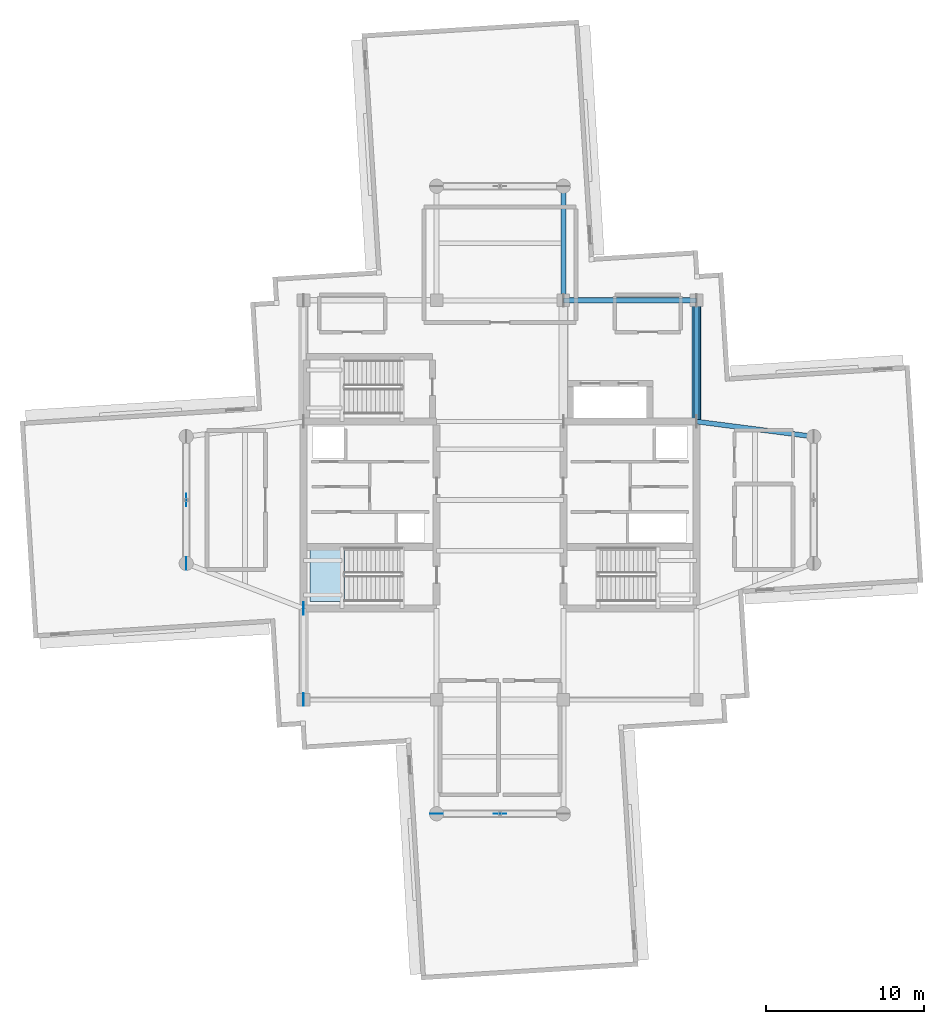
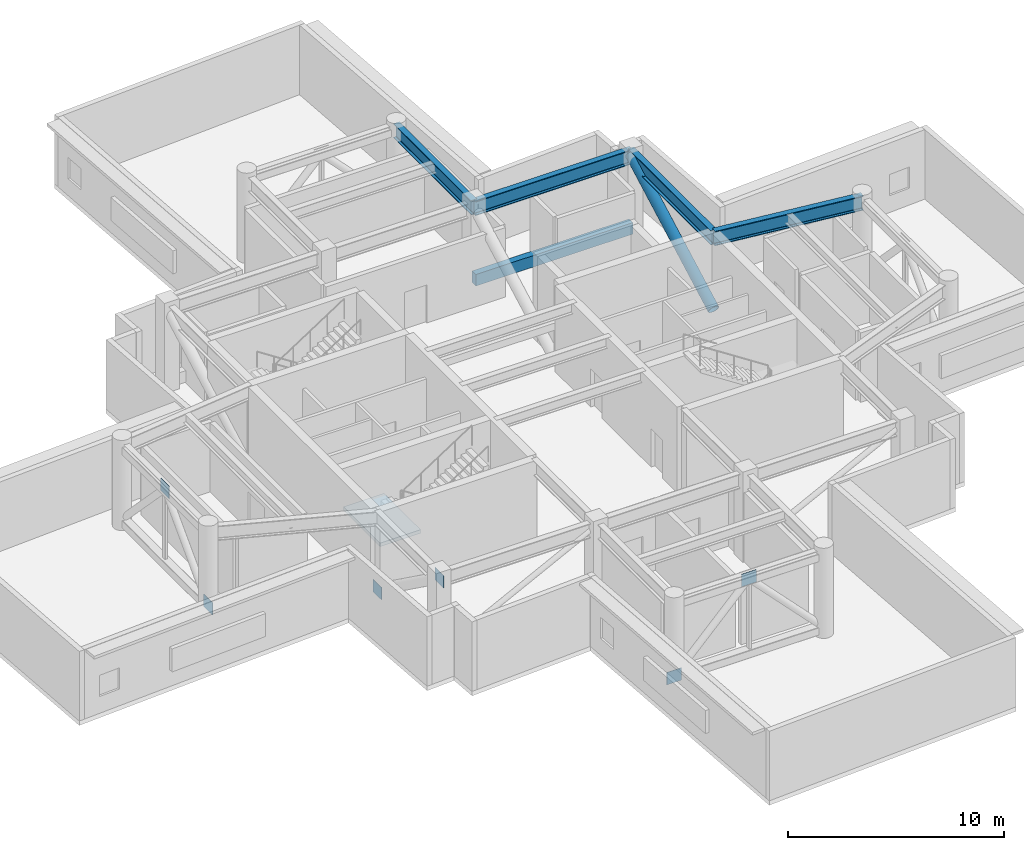
# One storey, part 6 of 14: 6 plates, 5 beams, 1 member, 1 slab, 1 element without a shape of its own.
"""IFC4 building model written with IfcOpenShell, lengths in metres."""

from ifc_helpers import new_model, si_unit, direction, frame, origin, origin_2d, place, context, subcontext, project, spatial, polyline, rectangle, hollow_circle, i_section, outline, extrude, material, layer, layer_set, material_profile, profile_set, type_object, element, aggregate, save


model = new_model("IFC4")

# Units and contexts
model_context = context("Model", 3, precision=1e-05, world=origin(), true_north=direction((0.0, 1.0)))
body_context = subcontext(model_context, "Body", "Model", "MODEL_VIEW")
ifc_project = project(units=[si_unit("LENGTHUNIT", "METRE"), si_unit("AREAUNIT", "SQUARE_METRE"), si_unit("VOLUMEUNIT", "CUBIC_METRE"), si_unit("PLANEANGLEUNIT", "RADIAN"), si_unit("MASSUNIT", "GRAM", prefix="KILO")], contexts=[model_context])

# Site, building, storey
site_placement = place(None, origin())
site = spatial("IfcSite", under=ifc_project, at=site_placement, CompositionType="ELEMENT")
building_placement = place(site_placement, origin())
building = spatial("IfcBuilding", under=site, at=building_placement, Name="Qingluan Cross Belvedere", CompositionType="ELEMENT")
storey_placement = place(building_placement, frame((0.0, 0.0, 288.89990234375)))
storey = spatial("IfcBuildingStorey", under=building, at=storey_placement, Name="L72", CompositionType="ELEMENT", Elevation=288.89990234375)

# Beam
ifc_material_1 = material(Name="Concrete C45", Category="concrete")
ifc_material_profile_1 = material_profile(ifc_material_1, rectangle(XDim=0.35009765625, YDim=0.64990234375, at=origin_2d()), Name="RC350x650")
ifc_profile_set_1 = profile_set([ifc_material_profile_1], Name="Concrete C45")
beam_type_1 = type_object("IfcBeamType", Name="RC_Spandrel_RC350x650", PredefinedType="SPANDREL", material=ifc_profile_set_1)
beam_1_placement = place(storey_placement, frame((4.0, 12.60009765625, 0.400146484375), z_axis=(1.0, 0.0, 0.0), x_axis=(0.0, 1.0, 0.0)))
element("IfcBeam", 1, at=beam_1_placement, inside=storey, type_object=beam_type_1, Name="Perimeter RC spandrel beam L72-NE", PredefinedType="SPANDREL", context=body_context, shape_type="SweptSolid", body=[
    extrude(rectangle(XDim=0.35009765625, YDim=0.64990234375, at=origin_2d()), origin(), (0.0, 0.0, 1.0), 8.39990234375),
])

# Member
ifc_material_2 = material(Name="Steel Q420GJB", Category="steel")
ifc_material_profile_2 = material_profile(ifc_material_2, hollow_circle(Radius=0.279541015625, WallThickness=0.02490234375, at=origin_2d()), Name="CHS559x25")
ifc_profile_set_2 = profile_set([ifc_material_profile_2], Name="Steel Q420GJB")
member_type = type_object("IfcMemberType", Name="SteelMember_BRACE_CHS559x25", PredefinedType="BRACE", material=ifc_profile_set_2)
member_placement = place(storey_placement, frame((12.39990234375, 4.949951171875, 0.35009765625), z_axis=(0.0, 0.878999574006, 0.476822554937), x_axis=(-1.0, 0.0, 0.0)))
element("IfcMember", 2, at=member_placement, inside=storey, type_object=member_type, Name="Outrigger truss diagonal L72-OEN", PredefinedType="BRACE", context=body_context, shape_type="SweptSolid", body=[
    extrude(hollow_circle(Radius=0.279541015625, WallThickness=0.02490234375, at=origin_2d()), origin(), (0.0, 0.0, 1.0), 8.703125),
])

# Beams
ifc_material_3 = material(Name="Steel Q420GJB", Category="steel")
ifc_material_profile_3 = material_profile(ifc_material_3, i_section(OverallWidth=0.305908203125, OverallDepth=0.81396484375, WebThickness=0.02099609375, FlangeThickness=0.0400390625, FilletRadius=0.030029296875, at=origin_2d()), Name="HEM800")
ifc_profile_set_3 = profile_set([ifc_material_profile_3], Name="Steel Q420GJB")
beam_type_2 = type_object("IfcBeamType", Name="Steel_Girder_HEM800", PredefinedType="USERDEFINED", material=ifc_profile_set_3)
beam_2_placement = place(storey_placement, frame((4.0, 12.60009765625, 4.443115234375), z_axis=(1.0, 0.0, 0.0), x_axis=(0.0, 1.0, 0.0)))
element("IfcBeam", 3, at=beam_2_placement, inside=storey, type_object=beam_type_2, Name="Hub girder L72-HG-N3", ObjectType="GIRDER", PredefinedType="USERDEFINED", context=body_context, shape_type="SweptSolid", body=[
    extrude(i_section(OverallWidth=0.305908203125, OverallDepth=0.81396484375, WebThickness=0.02099609375, FlangeThickness=0.0400390625, FilletRadius=0.030029296875, at=origin_2d()), origin(), (0.0, 0.0, 1.0), 8.39990234375),
])
beam_3_placement = place(storey_placement, frame((12.39990234375, 4.949951171875, 4.443115234375), z_axis=(0.0, 1.0, 0.0), x_axis=(-1.0, 0.0, 0.0)))
element("IfcBeam", 4, at=beam_3_placement, inside=storey, type_object=beam_type_2, Name="Hub girder L72-HG-E2", ObjectType="GIRDER", PredefinedType="USERDEFINED", context=body_context, shape_type="SweptSolid", body=[
    extrude(i_section(OverallWidth=0.305908203125, OverallDepth=0.81396484375, WebThickness=0.02099609375, FlangeThickness=0.0400390625, FilletRadius=0.030029296875, at=origin_2d()), origin(), (0.0, 0.0, 1.0), 7.650146484375),
])
beam_4_placement = place(storey_placement, frame((12.39990234375, 4.949951171875, 4.443115234375), z_axis=(0.991861120628, -0.12732445714, 0.0), x_axis=(0.12732445714, 0.991861120628, 0.0)))
element("IfcBeam", 5, at=beam_4_placement, inside=storey, type_object=beam_type_2, Name="Arm E radial girder B L72", ObjectType="GIRDER", PredefinedType="USERDEFINED", context=body_context, shape_type="SweptSolid", body=[
    extrude(i_section(OverallWidth=0.305908203125, OverallDepth=0.81396484375, WebThickness=0.02099609375, FlangeThickness=0.0400390625, FilletRadius=0.030029296875, at=origin_2d()), origin(), (0.0, 0.0, 1.0), 7.4609375),
])
beam_5_placement = place(storey_placement, frame((4.0, 12.60009765625, 4.443115234375), z_axis=(0.0, 1.0, 0.0), x_axis=(-1.0, 0.0, 0.0)))
element("IfcBeam", 6, at=beam_5_placement, inside=storey, type_object=beam_type_2, Name="Arm N radial girder B L72", ObjectType="GIRDER", PredefinedType="USERDEFINED", context=body_context, shape_type="SweptSolid", body=[
    extrude(i_section(OverallWidth=0.305908203125, OverallDepth=0.81396484375, WebThickness=0.02099609375, FlangeThickness=0.0400390625, FilletRadius=0.030029296875, at=origin_2d()), origin(), (0.0, 0.0, 1.0), 7.199951171875),
])

# Plates
ifc_material_4 = material(Name="Steel Q420GJB", Category="steel")
ifc_layer_1 = layer(ifc_material_4, 0.02490234375, Name="GussetPlate_25")
ifc_layer_set_1 = layer_set([ifc_layer_1], Name="Steel Q420GJB")
plate_type = type_object("IfcPlateType", Name="GussetPlate_25", PredefinedType="SHEET", material=ifc_layer_set_1)
for number, where, z_axis, x_axis, name in (
    (7, (-19.800048828125, 0.0, 4.14990234375), (0.0, 0.0, 1.0), (0.0, 1.0, 0.0), "Belt truss gusset node plate L72-W-M"),
    (8, (-19.800048828125, -4.0, 0.0), (0.0, 0.0, 1.0), (0.0, 1.0, 0.0), "Belt truss gusset node plate L72-W-A"),
    (9, (0.0, -19.800048828125, 4.14990234375), (0.0, 0.0, 1.0), (1.0, 0.0, 0.0), "Belt truss gusset node plate L72-S-M"),
    (10, (-4.0, -19.800048828125, 0.0), (0.0, 0.0, 1.0), (1.0, 0.0, 0.0), "Belt truss gusset node plate L72-S-A"),
    (11, (-12.39990234375, -6.85009765625, 0.0), (0.0, 0.0, 1.0), (0.0, 1.0, 0.0), "Outrigger end connection plate L72-OWS-BOT"),
    (12, (-12.39990234375, -12.60009765625, 4.14990234375), (0.0, 0.0, 1.0), (0.0, 1.0, 0.0), "Outrigger end connection plate L72-OWS-TOP"),
):
    element("IfcPlate", number, at=place(storey_placement, frame(where, z_axis=z_axis, x_axis=x_axis)), inside=storey, type_object=plate_type, Name=name, PredefinedType="SHEET", context=body_context, shape_type="SweptSolid", body=[
        extrude(rectangle(XDim=0.800048828125, YDim=0.02490234375, at=origin_2d()), origin(), (0.0, 0.0, 1.0), 0.699951171875),
    ])

# Stair, slab
ifc_material_5 = material(Name="Concrete C40", Category="concrete")
stair_type = type_object("IfcStairType", Name="CoreDoglegStair_1620", PredefinedType="HALF_TURN_STAIR", material=ifc_material_5)
stair_placement = place(storey_placement, origin())
stair = element("IfcStair", 13, at=stair_placement, inside=storey, type_object=stair_type, Name="L72 ST1", PredefinedType="HALF_TURN_STAIR")
ifc_material_6 = material(Name="Concrete C40", Category="concrete")
ifc_layer_2 = layer(ifc_material_6, 0.179931640625, Name="StairLandingSlab_180")
ifc_layer_set_2 = layer_set([ifc_layer_2], Name="Concrete C40")
slab_type = type_object("IfcSlabType", Name="StairLandingSlab_180", PredefinedType="LANDING", material=ifc_layer_set_2)
slab_placement = place(storey_placement, frame((0.0, 0.0, 2.35009765625)))
slab = element("IfcSlab", 14, at=slab_placement, type_object=slab_type, Name="ST1 landing 1", PredefinedType="LANDING", context=body_context, shape_type="SweptSolid", body=[
    extrude(outline(polyline([(-9.820068359375, -3.0), (-12.0, -3.0), (-12.0, -6.39990234375), (-9.820068359375, -6.39990234375), (-9.820068359375, -3.0)])), origin(), (0.0, 0.0, 1.0), 0.199951171875),
])
aggregate(stair, [slab])

save(model, "model.ifc")
